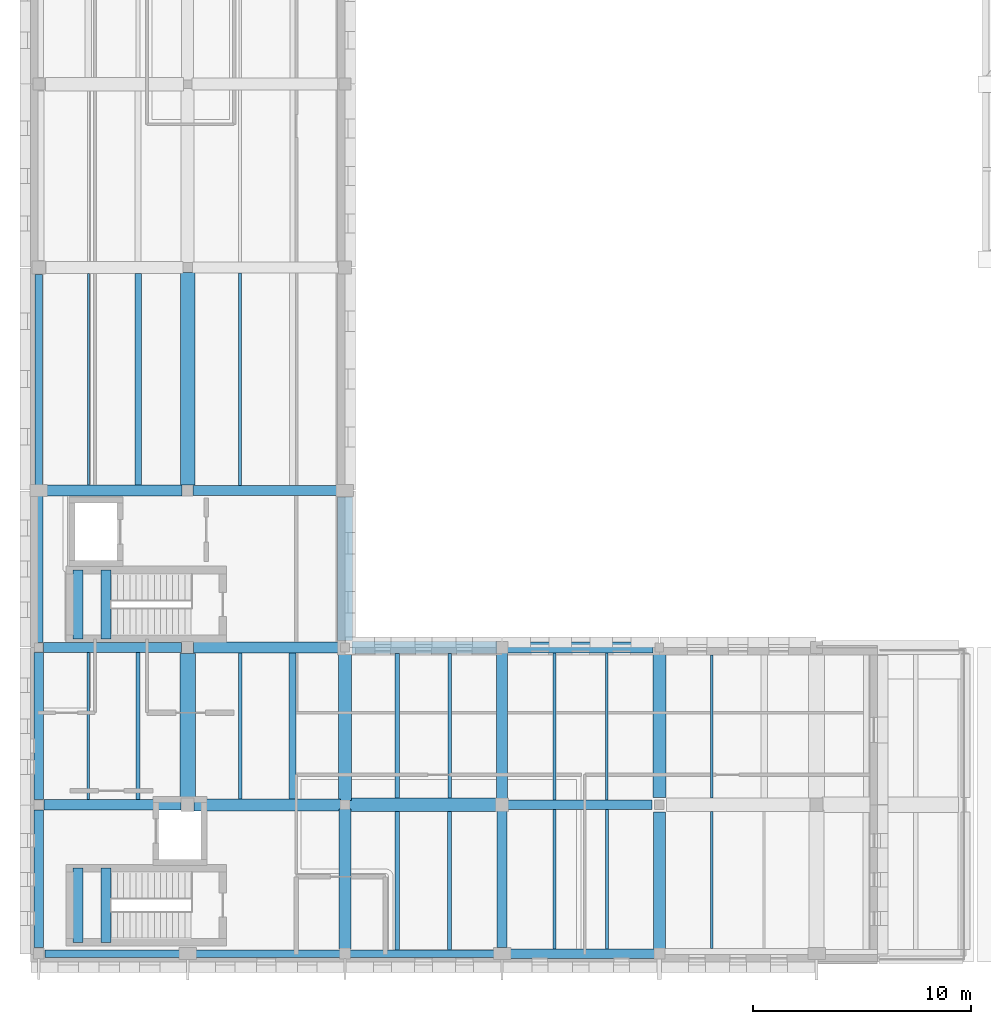
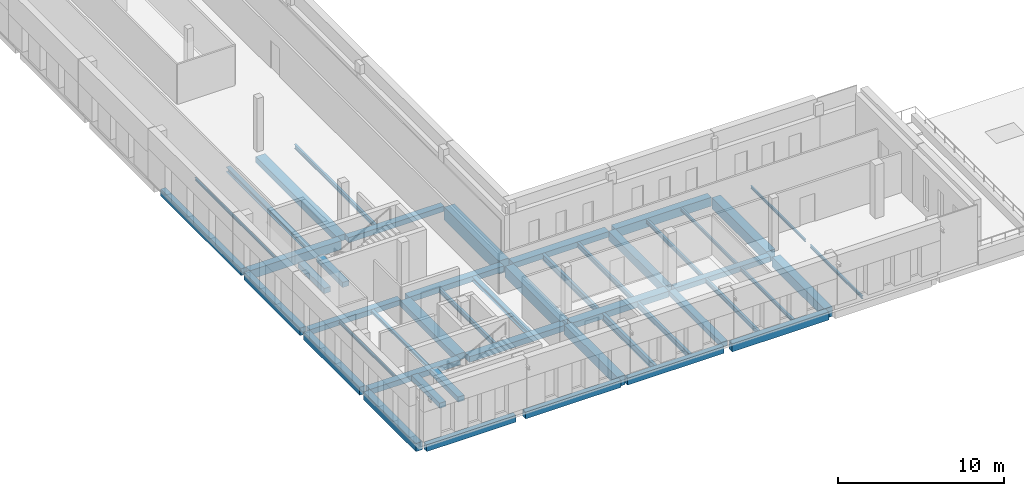
# One storey, part 8 of 56: 48 beams.
"""IFC4 building model written with IfcOpenShell, lengths in metres."""

from ifc_helpers import new_model, si_unit, direction, frame, origin, origin_2d, place, context, subcontext, project, spatial, rectangle, i_section, extrude, material, material_profile, profile_set, type_object, element, save


model = new_model("IFC4")

# Units and contexts
model_context = context("Model", 3, precision=1e-05, world=origin(), true_north=direction((0.0, 1.0)))
body_context = subcontext(model_context, "Body", "Model", "MODEL_VIEW")
ifc_project = project(units=[si_unit("LENGTHUNIT", "METRE"), si_unit("AREAUNIT", "SQUARE_METRE"), si_unit("VOLUMEUNIT", "CUBIC_METRE"), si_unit("PLANEANGLEUNIT", "RADIAN"), si_unit("MASSUNIT", "GRAM", prefix="KILO")], contexts=[model_context])

# Site, building, storey
site_placement = place(None, origin())
site = spatial("IfcSite", under=ifc_project, at=site_placement, CompositionType="ELEMENT")
building_placement = place(site_placement, origin())
building = spatial("IfcBuilding", under=site, at=building_placement, Name="Vardoun Plaza Health Centre", CompositionType="ELEMENT")
storey_placement = place(building_placement, frame((0.0, 0.0, 8.699951171875)))
storey = spatial("IfcBuildingStorey", under=building, at=storey_placement, Name="L02", CompositionType="ELEMENT", Elevation=8.699951171875)

# Beams
ifc_material_1 = material(Name="Concrete C35/45", Category="concrete")
ifc_material_profile_1 = material_profile(ifc_material_1, rectangle(XDim=0.35009765625, YDim=0.5, at=origin_2d()), Name="RC-BM 350x500")
ifc_profile_set_1 = profile_set([ifc_material_profile_1], Name="Concrete C35/45")
beam_type_1 = type_object("IfcBeamType", Name="B-08", PredefinedType="SPANDREL", material=ifc_profile_set_1)
beam_1_placement = place(storey_placement, frame((5.155029296875, 4.8798828125, -0.530029296875), z_axis=(1.0, 0.0, 0.0), x_axis=(0.0, 1.0, 0.0)))
element("IfcBeam", 1, at=beam_1_placement, inside=storey, type_object=beam_type_1, Name="V2 L02 Beam B-V2-L02-X01", PredefinedType="SPANDREL", context=body_context, shape_type="SweptSolid", body=[
    extrude(rectangle(XDim=0.35009765625, YDim=0.5, at=origin_2d()), origin(), (0.0, 0.0, 1.0), 6.219970703125),
])
beam_2_placement = place(storey_placement, frame((12.02490234375, 4.8798828125, -0.530029296875), z_axis=(1.0, 0.0, 0.0), x_axis=(0.0, 1.0, 0.0)))
element("IfcBeam", 2, at=beam_2_placement, inside=storey, type_object=beam_type_1, Name="V2 L02 Beam B-V2-L02-X11", PredefinedType="SPANDREL", context=body_context, shape_type="SweptSolid", body=[
    extrude(rectangle(XDim=0.35009765625, YDim=0.5, at=origin_2d()), origin(), (0.0, 0.0, 1.0), 6.650146484375),
])
beam_3_placement = place(storey_placement, frame((19.125, 4.8798828125, -0.530029296875), z_axis=(1.0, 0.0, 0.0), x_axis=(0.0, 1.0, 0.0)))
element("IfcBeam", 3, at=beam_3_placement, inside=storey, type_object=beam_type_1, Name="V2 L02 Beam B-V2-L02-X21", PredefinedType="SPANDREL", context=body_context, shape_type="SweptSolid", body=[
    extrude(rectangle(XDim=0.35009765625, YDim=0.5, at=origin_2d()), origin(), (0.0, 0.0, 1.0), 6.699951171875),
])
beam_4_placement = place(storey_placement, frame((4.8798828125, 26.300048828125, -0.530029296875), z_axis=(0.0, 1.0, 0.0), x_axis=(-1.0, 0.0, 0.0)))
element("IfcBeam", 4, at=beam_4_placement, inside=storey, type_object=beam_type_1, Name="V2 L02 Beam B-V2-L02-Y36", PredefinedType="SPANDREL", context=body_context, shape_type="SweptSolid", body=[
    extrude(rectangle(XDim=0.35009765625, YDim=0.5, at=origin_2d()), origin(), (0.0, 0.0, 1.0), 9.675048828125),
])
ifc_material_2 = material(Name="Concrete C35/45", Category="concrete")
ifc_material_profile_2 = material_profile(ifc_material_2, rectangle(XDim=0.39990234375, YDim=0.550048828125, at=origin_2d()), Name="RC-BM 400x550")
ifc_profile_set_2 = profile_set([ifc_material_profile_2], Name="Concrete C35/45")
beam_type_2 = type_object("IfcBeamType", Name="B-09", PredefinedType="SPANDREL", material=ifc_profile_set_2)
beam_5_placement = place(storey_placement, frame((4.8798828125, 19.125, -0.554931640625), z_axis=(0.0, 1.0, 0.0), x_axis=(-1.0, 0.0, 0.0)))
element("IfcBeam", 5, at=beam_5_placement, inside=storey, type_object=beam_type_2, Name="V2 L02 Beam B-V2-L02-Y35", PredefinedType="SPANDREL", context=body_context, shape_type="SweptSolid", body=[
    extrude(rectangle(XDim=0.39990234375, YDim=0.550048828125, at=origin_2d()), origin(), (0.0, 0.0, 1.0), 6.77490234375),
])
ifc_material_3 = material(Name="Concrete C35/45", Category="concrete")
ifc_material_profile_3 = material_profile(ifc_material_3, rectangle(XDim=0.419921875, YDim=0.580078125, at=origin_2d()), Name="RC-BM 420x580")
ifc_profile_set_3 = profile_set([ifc_material_profile_3], Name="Concrete C35/45")
beam_type_3 = type_object("IfcBeamType", Name="B-10", PredefinedType="SPANDREL", material=ifc_profile_set_3)
for number, where, z_axis, x_axis, name in (
    (6, (26.375, 4.8798828125, -0.570068359375), (1.0, 0.0, 0.0), (0.0, 1.0, 0.0), "V2 L02 Beam B-V2-L02-X24"),
    (7, (4.8798828125, 11.949951171875, -0.570068359375), (0.0, 1.0, 0.0), (-1.0, 0.0, 0.0), "V2 L02 Beam B-V2-L02-Y34"),
):
    element("IfcBeam", number, at=place(storey_placement, frame(where, z_axis=z_axis, x_axis=x_axis)), inside=storey, type_object=beam_type_3, Name=name, PredefinedType="SPANDREL", context=body_context, shape_type="SweptSolid", body=[
        extrude(rectangle(XDim=0.419921875, YDim=0.580078125, at=origin_2d()), origin(), (0.0, 0.0, 1.0), 6.72509765625),
    ])
ifc_material_4 = material(Name="Concrete C35/45", Category="concrete")
ifc_material_profile_4 = material_profile(ifc_material_4, rectangle(XDim=0.449951171875, YDim=0.3798828125, at=origin_2d()), Name="RC-BM 450x380")
ifc_profile_set_4 = profile_set([ifc_material_profile_4], Name="Concrete C35/45")
beam_type_4 = type_object("IfcBeamType", Name="B-01", PredefinedType="BEAM", material=ifc_profile_set_4)
beam_6_placement = place(storey_placement, frame((5.10498046875, 18.89990234375, -0.469970703125), z_axis=(1.0, 0.0, 0.0), x_axis=(0.0, 1.0, 0.0)))
element("IfcBeam", 8, at=beam_6_placement, inside=storey, type_object=beam_type_4, Name="V2 L02 Beam B-V2-L02-X03", PredefinedType="BEAM", context=body_context, shape_type="SweptSolid", body=[
    extrude(rectangle(XDim=0.449951171875, YDim=0.3798828125, at=origin_2d()), origin(), (0.0, 0.0, 1.0), 6.320068359375),
])
beam_7_placement = place(storey_placement, frame((11.949951171875, 26.10009765625, -0.469970703125), z_axis=(1.0, 0.0, 0.0), x_axis=(0.0, 1.0, 0.0)))
element("IfcBeam", 9, at=beam_7_placement, inside=storey, type_object=beam_type_4, Name="V2 L02 Beam B-V2-L02-X14", PredefinedType="BEAM", context=body_context, shape_type="SweptSolid", body=[
    extrude(rectangle(XDim=0.449951171875, YDim=0.3798828125, at=origin_2d()), origin(), (0.0, 0.0, 1.0), 6.650146484375),
])
beam_8_placement = place(storey_placement, frame((26.35009765625, 11.699951171875, -0.469970703125), z_axis=(1.0, 0.0, 0.0), x_axis=(0.0, 1.0, 0.0)))
element("IfcBeam", 10, at=beam_8_placement, inside=storey, type_object=beam_type_4, Name="V2 L02 Beam B-V2-L02-X25", PredefinedType="BEAM", context=body_context, shape_type="SweptSolid", body=[
    extrude(rectangle(XDim=0.449951171875, YDim=0.3798828125, at=origin_2d()), origin(), (0.0, 0.0, 1.0), 6.625),
])
beam_9_placement = place(storey_placement, frame((26.10009765625, 5.155029296875, -0.469970703125), z_axis=(0.0, 1.0, 0.0), x_axis=(-1.0, 0.0, 0.0)))
element("IfcBeam", 11, at=beam_9_placement, inside=storey, type_object=beam_type_4, Name="V2 L02 Beam B-V2-L02-Y58", PredefinedType="BEAM", context=body_context, shape_type="SweptSolid", body=[
    extrude(rectangle(XDim=0.449951171875, YDim=0.3798828125, at=origin_2d()), origin(), (0.0, 0.0, 1.0), 6.294921875),
])
for number, where, z_axis, x_axis, name in (
    (12, (6.679931640625, 5.39990234375, 1.7099609375), (0.0, 1.0, 0.0), (-1.0, 0.0, 0.0), "Stair ST-C1-L02 Landing Beam 1"),
    (13, (7.9599609375, 5.39990234375, 1.7099609375), (0.0, 1.0, 0.0), (-1.0, 0.0, 0.0), "Stair ST-C1-L02 Landing Beam 2"),
):
    element("IfcBeam", number, at=place(storey_placement, frame(where, z_axis=z_axis, x_axis=x_axis)), inside=storey, type_object=beam_type_4, Name=name, PredefinedType="BEAM", context=body_context, shape_type="SweptSolid", body=[
        extrude(rectangle(XDim=0.449951171875, YDim=0.3798828125, at=origin_2d()), origin(), (0.0, 0.0, 1.0), 3.400146484375),
    ])
for number, where, z_axis, x_axis, name in (
    (14, (6.679931640625, 19.300048828125, 1.7099609375), (0.0, 1.0, 0.0), (-1.0, 0.0, 0.0), "Stair ST-C2-L02 Landing Beam 1"),
    (15, (7.9599609375, 19.300048828125, 1.7099609375), (0.0, 1.0, 0.0), (-1.0, 0.0, 0.0), "Stair ST-C2-L02 Landing Beam 2"),
):
    element("IfcBeam", number, at=place(storey_placement, frame(where, z_axis=z_axis, x_axis=x_axis)), inside=storey, type_object=beam_type_4, Name=name, PredefinedType="BEAM", context=body_context, shape_type="SweptSolid", body=[
        extrude(rectangle(XDim=0.449951171875, YDim=0.3798828125, at=origin_2d()), origin(), (0.0, 0.0, 1.0), 3.14990234375),
    ])
ifc_material_5 = material(Name="Concrete C35/45", Category="concrete")
ifc_material_profile_5 = material_profile(ifc_material_5, rectangle(XDim=0.449951171875, YDim=0.60009765625, at=origin_2d()), Name="RC-BM 450x600")
ifc_profile_set_5 = profile_set([ifc_material_profile_5], Name="Concrete C35/45")
beam_type_5 = type_object("IfcBeamType", Name="B-11", PredefinedType="SPANDREL", material=ifc_profile_set_5)
beam_10_placement = place(storey_placement, frame((4.8798828125, 5.155029296875, -0.579833984375), z_axis=(0.0, 1.0, 0.0), x_axis=(-1.0, 0.0, 0.0)))
element("IfcBeam", 16, at=beam_10_placement, inside=storey, type_object=beam_type_5, Name="V2 L02 Beam B-V2-L02-Y33", PredefinedType="SPANDREL", context=body_context, shape_type="SweptSolid", body=[
    extrude(rectangle(XDim=0.449951171875, YDim=0.60009765625, at=origin_2d()), origin(), (0.0, 0.0, 1.0), 6.294921875),
])
ifc_material_6 = material(Name="Concrete C35/45", Category="concrete")
ifc_material_profile_6 = material_profile(ifc_material_6, rectangle(XDim=0.5, YDim=0.39990234375, at=origin_2d()), Name="RC-BM 500x400")
ifc_profile_set_6 = profile_set([ifc_material_profile_6], Name="Concrete C35/45")
beam_type_6 = type_object("IfcBeamType", Name="B-02", PredefinedType="BEAM", material=ifc_profile_set_6)
beam_11_placement = place(storey_placement, frame((5.1298828125, 11.699951171875, -0.47998046875), z_axis=(1.0, 0.0, 0.0), x_axis=(0.0, 1.0, 0.0)))
element("IfcBeam", 17, at=beam_11_placement, inside=storey, type_object=beam_type_6, Name="V2 L02 Beam B-V2-L02-X02", PredefinedType="BEAM", context=body_context, shape_type="SweptSolid", body=[
    extrude(rectangle(XDim=0.5, YDim=0.39990234375, at=origin_2d()), origin(), (0.0, 0.0, 1.0), 6.27001953125),
])
beam_12_placement = place(storey_placement, frame((11.97509765625, 18.89990234375, -0.47998046875), z_axis=(1.0, 0.0, 0.0), x_axis=(0.0, 1.0, 0.0)))
element("IfcBeam", 18, at=beam_12_placement, inside=storey, type_object=beam_type_6, Name="V2 L02 Beam B-V2-L02-X13", PredefinedType="BEAM", context=body_context, shape_type="SweptSolid", body=[
    extrude(rectangle(XDim=0.5, YDim=0.39990234375, at=origin_2d()), origin(), (0.0, 0.0, 1.0), 6.599853515625),
])
ifc_material_7 = material(Name="Concrete C40/50", Category="concrete")
ifc_material_profile_7 = material_profile(ifc_material_7, rectangle(XDim=0.5, YDim=0.64990234375, at=origin_2d()), Name="RC-BM 500x650")
ifc_profile_set_7 = profile_set([ifc_material_profile_7], Name="Concrete C40/50")
beam_type_7 = type_object("IfcBeamType", Name="B-13", PredefinedType="BEAM", material=ifc_profile_set_7)
beam_13_placement = place(storey_placement, frame((5.080078125, 26.10009765625, -0.60498046875), z_axis=(1.0, 0.0, 0.0), x_axis=(0.0, 1.0, 0.0)))
element("IfcBeam", 19, at=beam_13_placement, inside=storey, type_object=beam_type_7, Name="V2 L02 Beam B-V2-L02-X04", PredefinedType="BEAM", context=body_context, shape_type="SweptSolid", body=[
    extrude(rectangle(XDim=0.5, YDim=0.64990234375, at=origin_2d()), origin(), (0.0, 0.0, 1.0), 6.369873046875),
])
beam_14_placement = place(storey_placement, frame((26.324951171875, 18.89990234375, -0.60498046875), z_axis=(1.0, 0.0, 0.0), x_axis=(0.0, 1.0, 0.0)))
element("IfcBeam", 20, at=beam_14_placement, inside=storey, type_object=beam_type_7, Name="V2 L02 Beam B-V2-L02-X26", PredefinedType="BEAM", context=body_context, shape_type="SweptSolid", body=[
    extrude(rectangle(XDim=0.5, YDim=0.64990234375, at=origin_2d()), origin(), (0.0, 0.0, 1.0), 6.675048828125),
])
beam_15_placement = place(storey_placement, frame((26.10009765625, 11.949951171875, -0.60498046875), z_axis=(0.0, 1.0, 0.0), x_axis=(-1.0, 0.0, 0.0)))
element("IfcBeam", 21, at=beam_15_placement, inside=storey, type_object=beam_type_7, Name="V2 L02 Beam B-V2-L02-Y59", PredefinedType="BEAM", context=body_context, shape_type="SweptSolid", body=[
    extrude(rectangle(XDim=0.5, YDim=0.64990234375, at=origin_2d()), origin(), (0.0, 0.0, 1.0), 6.72509765625),
])
ifc_material_8 = material(Name="Concrete C35/45", Category="concrete")
ifc_material_profile_8 = material_profile(ifc_material_8, rectangle(XDim=0.550048828125, YDim=0.419921875, at=origin_2d()), Name="RC-BM 550x420")
ifc_profile_set_8 = profile_set([ifc_material_profile_8], Name="Concrete C35/45")
beam_type_8 = type_object("IfcBeamType", Name="B-03", PredefinedType="BEAM", material=ifc_profile_set_8)
beam_16_placement = place(storey_placement, frame((12.0, 11.699951171875, -0.489990234375), z_axis=(1.0, 0.0, 0.0), x_axis=(0.0, 1.0, 0.0)))
element("IfcBeam", 22, at=beam_16_placement, inside=storey, type_object=beam_type_8, Name="V2 L02 Beam B-V2-L02-X12", PredefinedType="BEAM", context=body_context, shape_type="SweptSolid", body=[
    extrude(rectangle(XDim=0.550048828125, YDim=0.419921875, at=origin_2d()), origin(), (0.0, 0.0, 1.0), 6.699951171875),
])
beam_17_placement = place(storey_placement, frame((19.22509765625, 18.89990234375, -0.489990234375), z_axis=(1.0, 0.0, 0.0), x_axis=(0.0, 1.0, 0.0)))
element("IfcBeam", 23, at=beam_17_placement, inside=storey, type_object=beam_type_8, Name="V2 L02 Beam B-V2-L02-X23", PredefinedType="BEAM", context=body_context, shape_type="SweptSolid", body=[
    extrude(rectangle(XDim=0.550048828125, YDim=0.419921875, at=origin_2d()), origin(), (0.0, 0.0, 1.0), 6.64990234375),
])
ifc_material_9 = material(Name="Concrete C40/50", Category="concrete")
ifc_material_profile_9 = material_profile(ifc_material_9, rectangle(XDim=0.550048828125, YDim=0.719970703125, at=origin_2d()), Name="RC-BM 550x720")
ifc_profile_set_9 = profile_set([ifc_material_profile_9], Name="Concrete C40/50")
beam_type_9 = type_object("IfcBeamType", Name="B-14", PredefinedType="BEAM", material=ifc_profile_set_9)
beam_18_placement = place(storey_placement, frame((18.89990234375, 5.10498046875, -0.639892578125), z_axis=(0.0, 1.0, 0.0), x_axis=(-1.0, 0.0, 0.0)))
element("IfcBeam", 24, at=beam_18_placement, inside=storey, type_object=beam_type_9, Name="V2 L02 Beam B-V2-L02-Y49", PredefinedType="BEAM", context=body_context, shape_type="SweptSolid", body=[
    extrude(rectangle(XDim=0.550048828125, YDim=0.719970703125, at=origin_2d()), origin(), (0.0, 0.0, 1.0), 6.39501953125),
])
beam_19_placement = place(storey_placement, frame((33.300048828125, 5.080078125, -0.639892578125), z_axis=(0.0, 1.0, 0.0), x_axis=(-1.0, 0.0, 0.0)))
element("IfcBeam", 25, at=beam_19_placement, inside=storey, type_object=beam_type_9, Name="V2 L02 Beam B-V2-L02-Y60", PredefinedType="BEAM", context=body_context, shape_type="SweptSolid", body=[
    extrude(rectangle(XDim=0.550048828125, YDim=0.719970703125, at=origin_2d()), origin(), (0.0, 0.0, 1.0), 6.294921875),
])
ifc_material_10 = material(Name="Concrete C35/45", Category="concrete")
ifc_material_profile_10 = material_profile(ifc_material_10, rectangle(XDim=0.60009765625, YDim=0.449951171875, at=origin_2d()), Name="RC-BM 600x450")
ifc_profile_set_10 = profile_set([ifc_material_profile_10], Name="Concrete C35/45")
beam_type_10 = type_object("IfcBeamType", Name="B-04", PredefinedType="BEAM", material=ifc_profile_set_10)
beam_20_placement = place(storey_placement, frame((19.10009765625, 11.699951171875, -0.5048828125), z_axis=(1.0, 0.0, 0.0), x_axis=(0.0, 1.0, 0.0)))
element("IfcBeam", 26, at=beam_20_placement, inside=storey, type_object=beam_type_10, Name="V2 L02 Beam B-V2-L02-X22", PredefinedType="BEAM", context=body_context, shape_type="SweptSolid", body=[
    extrude(rectangle(XDim=0.60009765625, YDim=0.449951171875, at=origin_2d()), origin(), (0.0, 0.0, 1.0), 6.75),
])
ifc_material_11 = material(Name="Concrete C40/50", Category="concrete")
ifc_material_profile_11 = material_profile(ifc_material_11, rectangle(XDim=0.60009765625, YDim=0.800048828125, at=origin_2d()), Name="RC-BM 600x800")
ifc_profile_set_11 = profile_set([ifc_material_profile_11], Name="Concrete C40/50")
beam_type_11 = type_object("IfcBeamType", Name="B-15", PredefinedType="JOIST", material=ifc_profile_set_11)
beam_21_placement = place(storey_placement, frame((18.89990234375, 11.89990234375, -0.679931640625), z_axis=(0.0, 1.0, 0.0), x_axis=(-1.0, 0.0, 0.0)))
element("IfcBeam", 27, at=beam_21_placement, inside=storey, type_object=beam_type_11, Name="V2 L02 Beam B-V2-L02-Y50", PredefinedType="JOIST", context=body_context, shape_type="SweptSolid", body=[
    extrude(rectangle(XDim=0.60009765625, YDim=0.800048828125, at=origin_2d()), origin(), (0.0, 0.0, 1.0), 6.675048828125),
])
beam_22_placement = place(storey_placement, frame((33.300048828125, 12.02490234375, -0.679931640625), z_axis=(0.0, 1.0, 0.0), x_axis=(-1.0, 0.0, 0.0)))
element("IfcBeam", 28, at=beam_22_placement, inside=storey, type_object=beam_type_11, Name="V2 L02 Beam B-V2-L02-Y61", PredefinedType="JOIST", context=body_context, shape_type="SweptSolid", body=[
    extrude(rectangle(XDim=0.60009765625, YDim=0.800048828125, at=origin_2d()), origin(), (0.0, 0.0, 1.0), 6.5751953125),
])
ifc_material_12 = material(Name="Concrete C35/45", Category="concrete")
ifc_material_profile_12 = material_profile(ifc_material_12, rectangle(XDim=0.64990234375, YDim=0.449951171875, at=origin_2d()), Name="RC-BM 650x450")
ifc_profile_set_12 = profile_set([ifc_material_profile_12], Name="Concrete C35/45")
beam_type_12 = type_object("IfcBeamType", Name="B-05", PredefinedType="BEAM", material=ifc_profile_set_12)
beam_23_placement = place(storey_placement, frame((11.699951171875, 26.35009765625, -0.5048828125), z_axis=(0.0, 1.0, 0.0), x_axis=(-1.0, 0.0, 0.0)))
element("IfcBeam", 29, at=beam_23_placement, inside=storey, type_object=beam_type_12, Name="V2 L02 Beam B-V2-L02-Y43", PredefinedType="BEAM", context=body_context, shape_type="SweptSolid", body=[
    extrude(rectangle(XDim=0.64990234375, YDim=0.449951171875, at=origin_2d()), origin(), (0.0, 0.0, 1.0), 9.724853515625),
])
ifc_material_13 = material(Name="Concrete C35/45", Category="concrete")
ifc_material_profile_13 = material_profile(ifc_material_13, rectangle(XDim=0.699951171875, YDim=0.449951171875, at=origin_2d()), Name="RC-BM 700x450")
ifc_profile_set_13 = profile_set([ifc_material_profile_13], Name="Concrete C35/45")
beam_type_13 = type_object("IfcBeamType", Name="B-06", PredefinedType="BEAM", material=ifc_profile_set_13)
beam_24_placement = place(storey_placement, frame((11.699951171875, 12.0, -0.5048828125), z_axis=(0.0, 1.0, 0.0), x_axis=(-1.0, 0.0, 0.0)))
element("IfcBeam", 30, at=beam_24_placement, inside=storey, type_object=beam_type_13, Name="V2 L02 Beam B-V2-L02-Y42", PredefinedType="BEAM", context=body_context, shape_type="SweptSolid", body=[
    extrude(rectangle(XDim=0.699951171875, YDim=0.449951171875, at=origin_2d()), origin(), (0.0, 0.0, 1.0), 6.625),
])
ifc_material_14 = material(Name="Concrete C40/50", Category="concrete")
ifc_material_profile_14 = material_profile(ifc_material_14, rectangle(XDim=0.699951171875, YDim=0.949951171875, at=origin_2d()), Name="RC-BM 700x950")
ifc_profile_set_14 = profile_set([ifc_material_profile_14], Name="Concrete C40/50")
beam_type_14 = type_object("IfcBeamType", Name="B-16", PredefinedType="LINTEL", material=ifc_profile_set_14)
beam_25_placement = place(storey_placement, frame((18.89990234375, 19.22509765625, -0.7548828125), z_axis=(0.0, 1.0, 0.0), x_axis=(-1.0, 0.0, 0.0)))
element("IfcBeam", 31, at=beam_25_placement, inside=storey, type_object=beam_type_14, Name="V2 L02 Beam B-V2-L02-Y51", PredefinedType="LINTEL", context=body_context, shape_type="SweptSolid", body=[
    extrude(rectangle(XDim=0.699951171875, YDim=0.949951171875, at=origin_2d()), origin(), (0.0, 0.0, 1.0), 6.574951171875),
])
ifc_material_15 = material(Name="Steel S355J2", Category="steel")
ifc_material_profile_15 = material_profile(ifc_material_15, i_section(OverallWidth=0.199951171875, OverallDepth=0.18994140625, WebThickness=0.006591796875, FlangeThickness=0.010009765625, FilletRadius=0.01806640625, at=origin_2d()), Name="HEA 200")
ifc_profile_set_15 = profile_set([ifc_material_profile_15], Name="Steel S355J2")
beam_type_15 = type_object("IfcBeamType", Name="SB-09", PredefinedType="BEAM", material=ifc_profile_set_15)
beam_26_placement = place(storey_placement, frame((9.427001953125, 11.949951171875, -0.375), z_axis=(0.0, 1.0, 0.0), x_axis=(-1.0, 0.0, 0.0)))
element("IfcBeam", 32, at=beam_26_placement, inside=storey, type_object=beam_type_15, Name="V2 L02 Secondary Floor Beam SJ-V2-L02-08", PredefinedType="BEAM", context=body_context, shape_type="SweptSolid", body=[
    extrude(i_section(OverallWidth=0.199951171875, OverallDepth=0.18994140625, WebThickness=0.006591796875, FlangeThickness=0.010009765625, FilletRadius=0.01806640625, at=origin_2d()), origin(), (0.0, 0.0, 1.0), 6.72509765625),
])
ifc_material_16 = material(Name="Steel S355J2", Category="steel")
ifc_material_profile_16 = material_profile(ifc_material_16, i_section(OverallWidth=0.300048828125, OverallDepth=0.330078125, WebThickness=0.009521484375, FlangeThickness=0.0166015625, FilletRadius=0.027099609375, at=origin_2d()), Name="HEA 340")
ifc_profile_set_16 = profile_set([ifc_material_profile_16], Name="Steel S355J2")
beam_type_16 = type_object("IfcBeamType", Name="SB-04", PredefinedType="BEAM", material=ifc_profile_set_16)
beam_27_placement = place(storey_placement, frame((16.500244140625, 11.97509765625, -0.445068359375), z_axis=(0.0, 1.0, 0.0), x_axis=(-1.0, 0.0, 0.0)))
element("IfcBeam", 33, at=beam_27_placement, inside=storey, type_object=beam_type_16, Name="V2 L02 Secondary Floor Beam SJ-V2-L02-22", PredefinedType="BEAM", context=body_context, shape_type="SweptSolid", body=[
    extrude(i_section(OverallWidth=0.300048828125, OverallDepth=0.330078125, WebThickness=0.009521484375, FlangeThickness=0.0166015625, FilletRadius=0.027099609375, at=origin_2d()), origin(), (0.0, 0.0, 1.0), 6.6748046875),
])
ifc_material_17 = material(Name="Steel S355J2", Category="steel")
ifc_material_profile_17 = material_profile(ifc_material_17, i_section(OverallWidth=0.300048828125, OverallDepth=0.360107421875, WebThickness=0.012451171875, FlangeThickness=0.0224609375, FilletRadius=0.027099609375, at=origin_2d()), Name="HEB 360")
ifc_profile_set_17 = profile_set([ifc_material_profile_17], Name="Steel S355J2")
beam_type_17 = type_object("IfcBeamType", Name="RB-04", PredefinedType="BEAM", material=ifc_profile_set_17)
beam_28_placement = place(storey_placement, frame((9.427001953125, 26.35009765625, -0.4599609375), z_axis=(0.0, 1.0, 0.0), x_axis=(-1.0, 0.0, 0.0)))
element("IfcBeam", 34, at=beam_28_placement, inside=storey, type_object=beam_type_17, Name="V2 L02 Secondary Floor Beam SJ-V2-L02-09", PredefinedType="BEAM", context=body_context, shape_type="SweptSolid", body=[
    extrude(i_section(OverallWidth=0.300048828125, OverallDepth=0.360107421875, WebThickness=0.012451171875, FlangeThickness=0.0224609375, FilletRadius=0.027099609375, at=origin_2d()), origin(), (0.0, 0.0, 1.0), 9.675048828125),
])
ifc_material_18 = material(Name="Steel S355J2", Category="steel")
ifc_material_profile_18 = material_profile(ifc_material_18, i_section(OverallWidth=0.10009765625, OverallDepth=0.199951171875, WebThickness=0.005615234375, FlangeThickness=0.008544921875, FilletRadius=0.011962890625, at=origin_2d()), Name="IPE 200")
ifc_profile_set_18 = profile_set([ifc_material_profile_18], Name="Steel S355J2")
beam_type_18 = type_object("IfcBeamType", Name="SB-19", PredefinedType="SPANDREL", material=ifc_profile_set_18)
beam_29_placement = place(storey_placement, frame((7.153076171875, 26.35009765625, -0.3798828125), z_axis=(0.0, 1.0, 0.0), x_axis=(-1.0, 0.0, 0.0)))
element("IfcBeam", 35, at=beam_29_placement, inside=storey, type_object=beam_type_18, Name="V2 L02 Secondary Floor Beam SJ-V2-L02-02", PredefinedType="SPANDREL", context=body_context, shape_type="SweptSolid", body=[
    extrude(i_section(OverallWidth=0.10009765625, OverallDepth=0.199951171875, WebThickness=0.005615234375, FlangeThickness=0.008544921875, FilletRadius=0.011962890625, at=origin_2d()), origin(), (0.0, 0.0, 1.0), 9.675048828125),
])
beam_30_placement = place(storey_placement, frame((35.69970703125, 12.0, -0.3798828125), z_axis=(0.0, 1.0, 0.0), x_axis=(-1.0, 0.0, 0.0)))
element("IfcBeam", 36, at=beam_30_placement, inside=storey, type_object=beam_type_18, Name="V2 L02 Secondary Floor Beam SJ-V2-L02-38", PredefinedType="SPANDREL", context=body_context, shape_type="SweptSolid", body=[
    extrude(i_section(OverallWidth=0.10009765625, OverallDepth=0.199951171875, WebThickness=0.005615234375, FlangeThickness=0.008544921875, FilletRadius=0.011962890625, at=origin_2d()), origin(), (0.0, 0.0, 1.0), 6.550048828125),
])
ifc_material_19 = material(Name="Steel S355J2", Category="steel")
ifc_material_profile_19 = material_profile(ifc_material_19, i_section(OverallWidth=0.110107421875, OverallDepth=0.219970703125, WebThickness=0.005859375, FlangeThickness=0.00927734375, FilletRadius=0.011962890625, at=origin_2d()), Name="IPE 220")
ifc_profile_set_19 = profile_set([ifc_material_profile_19], Name="Steel S355J2")
beam_type_19 = type_object("IfcBeamType", Name="SB-18", PredefinedType="JOIST", material=ifc_profile_set_19)
beam_31_placement = place(storey_placement, frame((7.153076171875, 11.949951171875, -0.389892578125), z_axis=(0.0, 1.0, 0.0), x_axis=(-1.0, 0.0, 0.0)))
element("IfcBeam", 37, at=beam_31_placement, inside=storey, type_object=beam_type_19, Name="V2 L02 Secondary Floor Beam SJ-V2-L02-01", PredefinedType="JOIST", context=body_context, shape_type="SweptSolid", body=[
    extrude(i_section(OverallWidth=0.110107421875, OverallDepth=0.219970703125, WebThickness=0.005859375, FlangeThickness=0.00927734375, FilletRadius=0.011962890625, at=origin_2d()), origin(), (0.0, 0.0, 1.0), 6.72509765625),
])
beam_32_placement = place(storey_placement, frame((35.69970703125, 5.1201171875, -0.389892578125), z_axis=(0.0, 1.0, 0.0), x_axis=(-1.0, 0.0, 0.0)))
element("IfcBeam", 38, at=beam_32_placement, inside=storey, type_object=beam_type_19, Name="V2 L02 Secondary Floor Beam SJ-V2-L02-37", PredefinedType="JOIST", context=body_context, shape_type="SweptSolid", body=[
    extrude(i_section(OverallWidth=0.110107421875, OverallDepth=0.219970703125, WebThickness=0.005859375, FlangeThickness=0.00927734375, FilletRadius=0.011962890625, at=origin_2d()), origin(), (0.0, 0.0, 1.0), 6.27978515625),
])
ifc_material_20 = material(Name="Steel S355J2", Category="steel")
ifc_material_profile_20 = material_profile(ifc_material_20, i_section(OverallWidth=0.1201171875, OverallDepth=0.239990234375, WebThickness=0.006103515625, FlangeThickness=0.009765625, FilletRadius=0.014892578125, at=origin_2d()), Name="IPE 240")
ifc_profile_set_20 = profile_set([ifc_material_profile_20], Name="Steel S355J2")
beam_type_20 = type_object("IfcBeamType", Name="SB-17", PredefinedType="JOIST", material=ifc_profile_set_20)
beam_33_placement = place(storey_placement, frame((30.900146484375, 11.925048828125, -0.39990234375), z_axis=(0.0, 1.0, 0.0), x_axis=(-1.0, 0.0, 0.0)))
element("IfcBeam", 39, at=beam_33_placement, inside=storey, type_object=beam_type_20, Name="V2 L02 Secondary Floor Beam SJ-V2-L02-36", PredefinedType="JOIST", context=body_context, shape_type="SweptSolid", body=[
    extrude(i_section(OverallWidth=0.1201171875, OverallDepth=0.239990234375, WebThickness=0.006103515625, FlangeThickness=0.009765625, FilletRadius=0.014892578125, at=origin_2d()), origin(), (0.0, 0.0, 1.0), 6.724853515625),
])
ifc_material_21 = material(Name="Steel S355J2", Category="steel")
ifc_material_profile_21 = material_profile(ifc_material_21, i_section(OverallWidth=0.135009765625, OverallDepth=0.27001953125, WebThickness=0.006591796875, FlangeThickness=0.01025390625, FilletRadius=0.014892578125, at=origin_2d()), Name="IPE 270")
ifc_profile_set_21 = profile_set([ifc_material_profile_21], Name="Steel S355J2")
beam_type_21 = type_object("IfcBeamType", Name="SB-16", PredefinedType="JOIST", material=ifc_profile_set_21)
beam_34_placement = place(storey_placement, frame((30.900146484375, 5.090087890625, -0.4150390625), z_axis=(0.0, 1.0, 0.0), x_axis=(-1.0, 0.0, 0.0)))
element("IfcBeam", 40, at=beam_34_placement, inside=storey, type_object=beam_type_21, Name="V2 L02 Secondary Floor Beam SJ-V2-L02-35", PredefinedType="JOIST", context=body_context, shape_type="SweptSolid", body=[
    extrude(i_section(OverallWidth=0.135009765625, OverallDepth=0.27001953125, WebThickness=0.006591796875, FlangeThickness=0.01025390625, FilletRadius=0.014892578125, at=origin_2d()), origin(), (0.0, 0.0, 1.0), 6.385009765625),
])
ifc_material_22 = material(Name="Steel S355J2", Category="steel")
ifc_material_profile_22 = material_profile(ifc_material_22, i_section(OverallWidth=0.14990234375, OverallDepth=0.300048828125, WebThickness=0.007080078125, FlangeThickness=0.0107421875, FilletRadius=0.014892578125, at=origin_2d()), Name="IPE 300")
ifc_profile_set_22 = profile_set([ifc_material_profile_22], Name="Steel S355J2")
beam_type_22 = type_object("IfcBeamType", Name="SB-15", PredefinedType="JOIST", material=ifc_profile_set_22)
beam_35_placement = place(storey_placement, frame((14.099853515625, 26.324951171875, -0.430908203125), z_axis=(0.0, 1.0, 0.0), x_axis=(-1.0, 0.0, 0.0)))
element("IfcBeam", 41, at=beam_35_placement, inside=storey, type_object=beam_type_22, Name="V2 L02 Secondary Floor Beam SJ-V2-L02-16", PredefinedType="JOIST", context=body_context, shape_type="SweptSolid", body=[
    extrude(i_section(OverallWidth=0.14990234375, OverallDepth=0.300048828125, WebThickness=0.007080078125, FlangeThickness=0.0107421875, FilletRadius=0.014892578125, at=origin_2d()), origin(), (0.0, 0.0, 1.0), 9.72509765625),
])
beam_36_placement = place(storey_placement, frame((28.499755859375, 11.925048828125, -0.429931640625), z_axis=(0.0, 1.0, 0.0), x_axis=(-1.0, 0.0, 0.0)))
element("IfcBeam", 42, at=beam_36_placement, inside=storey, type_object=beam_type_22, Name="V2 L02 Secondary Floor Beam SJ-V2-L02-34", PredefinedType="JOIST", context=body_context, shape_type="SweptSolid", body=[
    extrude(i_section(OverallWidth=0.14990234375, OverallDepth=0.300048828125, WebThickness=0.007080078125, FlangeThickness=0.0107421875, FilletRadius=0.014892578125, at=origin_2d()), origin(), (0.0, 0.0, 1.0), 6.724853515625),
])
ifc_material_23 = material(Name="Steel S355J2", Category="steel")
ifc_material_profile_23 = material_profile(ifc_material_23, i_section(OverallWidth=0.159912109375, OverallDepth=0.330078125, WebThickness=0.007568359375, FlangeThickness=0.011474609375, FilletRadius=0.01806640625, at=origin_2d()), Name="IPE 330")
ifc_profile_set_23 = profile_set([ifc_material_profile_23], Name="Steel S355J2")
beam_type_23 = type_object("IfcBeamType", Name="SB-14", PredefinedType="JOIST", material=ifc_profile_set_23)
beam_37_placement = place(storey_placement, frame((14.099853515625, 11.97509765625, -0.445068359375), z_axis=(0.0, 1.0, 0.0), x_axis=(-1.0, 0.0, 0.0)))
element("IfcBeam", 43, at=beam_37_placement, inside=storey, type_object=beam_type_23, Name="V2 L02 Secondary Floor Beam SJ-V2-L02-15", PredefinedType="JOIST", context=body_context, shape_type="SweptSolid", body=[
    extrude(i_section(OverallWidth=0.159912109375, OverallDepth=0.330078125, WebThickness=0.007568359375, FlangeThickness=0.011474609375, FilletRadius=0.01806640625, at=origin_2d()), origin(), (0.0, 0.0, 1.0), 6.6748046875),
])
beam_38_placement = place(storey_placement, frame((28.499755859375, 5.090087890625, -0.445068359375), z_axis=(0.0, 1.0, 0.0), x_axis=(-1.0, 0.0, 0.0)))
element("IfcBeam", 44, at=beam_38_placement, inside=storey, type_object=beam_type_23, Name="V2 L02 Secondary Floor Beam SJ-V2-L02-33", PredefinedType="JOIST", context=body_context, shape_type="SweptSolid", body=[
    extrude(i_section(OverallWidth=0.159912109375, OverallDepth=0.330078125, WebThickness=0.007568359375, FlangeThickness=0.011474609375, FilletRadius=0.01806640625, at=origin_2d()), origin(), (0.0, 0.0, 1.0), 6.385009765625),
])
ifc_material_24 = material(Name="Steel S355J2", Category="steel")
ifc_material_profile_24 = material_profile(ifc_material_24, i_section(OverallWidth=0.169921875, OverallDepth=0.360107421875, WebThickness=0.008056640625, FlangeThickness=0.0126953125, FilletRadius=0.01806640625, at=origin_2d()), Name="IPE 360")
ifc_profile_set_24 = profile_set([ifc_material_profile_24], Name="Steel S355J2")
beam_type_24 = type_object("IfcBeamType", Name="SB-13", PredefinedType="JOIST", material=ifc_profile_set_24)
beam_39_placement = place(storey_placement, frame((23.7001953125, 12.0, -0.4599609375), z_axis=(0.0, 1.0, 0.0), x_axis=(-1.0, 0.0, 0.0)))
element("IfcBeam", 45, at=beam_39_placement, inside=storey, type_object=beam_type_24, Name="V2 L02 Secondary Floor Beam SJ-V2-L02-32", PredefinedType="JOIST", context=body_context, shape_type="SweptSolid", body=[
    extrude(i_section(OverallWidth=0.169921875, OverallDepth=0.360107421875, WebThickness=0.008056640625, FlangeThickness=0.0126953125, FilletRadius=0.01806640625, at=origin_2d()), origin(), (0.0, 0.0, 1.0), 6.625),
])
ifc_material_25 = material(Name="Steel S355J2", Category="steel")
ifc_material_profile_25 = material_profile(ifc_material_25, i_section(OverallWidth=0.179931640625, OverallDepth=0.39990234375, WebThickness=0.008544921875, FlangeThickness=0.013427734375, FilletRadius=0.02099609375, at=origin_2d()), Name="IPE 400")
ifc_profile_set_25 = profile_set([ifc_material_profile_25], Name="Steel S355J2")
beam_type_25 = type_object("IfcBeamType", Name="SB-12", PredefinedType="BEAM", material=ifc_profile_set_25)
beam_40_placement = place(storey_placement, frame((23.7001953125, 5.054931640625, -0.47998046875), z_axis=(0.0, 1.0, 0.0), x_axis=(-1.0, 0.0, 0.0)))
element("IfcBeam", 46, at=beam_40_placement, inside=storey, type_object=beam_type_25, Name="V2 L02 Secondary Floor Beam SJ-V2-L02-31", PredefinedType="BEAM", context=body_context, shape_type="SweptSolid", body=[
    extrude(i_section(OverallWidth=0.179931640625, OverallDepth=0.39990234375, WebThickness=0.008544921875, FlangeThickness=0.013427734375, FilletRadius=0.02099609375, at=origin_2d()), origin(), (0.0, 0.0, 1.0), 6.344970703125),
])
ifc_material_26 = material(Name="Steel S355J2", Category="steel")
ifc_material_profile_26 = material_profile(ifc_material_26, i_section(OverallWidth=0.18994140625, OverallDepth=0.449951171875, WebThickness=0.009521484375, FlangeThickness=0.0146484375, FilletRadius=0.02099609375, at=origin_2d()), Name="IPE 450")
ifc_profile_set_26 = profile_set([ifc_material_profile_26], Name="Steel S355J2")
beam_type_26 = type_object("IfcBeamType", Name="SB-11", PredefinedType="BEAM", material=ifc_profile_set_26)
beam_41_placement = place(storey_placement, frame((21.2998046875, 12.0, -0.5048828125), z_axis=(0.0, 1.0, 0.0), x_axis=(-1.0, 0.0, 0.0)))
element("IfcBeam", 47, at=beam_41_placement, inside=storey, type_object=beam_type_26, Name="V2 L02 Secondary Floor Beam SJ-V2-L02-30", PredefinedType="BEAM", context=body_context, shape_type="SweptSolid", body=[
    extrude(i_section(OverallWidth=0.18994140625, OverallDepth=0.449951171875, WebThickness=0.009521484375, FlangeThickness=0.0146484375, FilletRadius=0.02099609375, at=origin_2d()), origin(), (0.0, 0.0, 1.0), 6.625),
])
ifc_material_27 = material(Name="Steel S355J2", Category="steel")
ifc_material_profile_27 = material_profile(ifc_material_27, i_section(OverallWidth=0.199951171875, OverallDepth=0.5, WebThickness=0.01025390625, FlangeThickness=0.01611328125, FilletRadius=0.02099609375, at=origin_2d()), Name="IPE 500")
ifc_profile_set_27 = profile_set([ifc_material_profile_27], Name="Steel S355J2")
beam_type_27 = type_object("IfcBeamType", Name="SB-10", PredefinedType="BEAM", material=ifc_profile_set_27)
beam_42_placement = place(storey_placement, frame((21.2998046875, 5.054931640625, -0.530029296875), z_axis=(0.0, 1.0, 0.0), x_axis=(-1.0, 0.0, 0.0)))
element("IfcBeam", 48, at=beam_42_placement, inside=storey, type_object=beam_type_27, Name="V2 L02 Secondary Floor Beam SJ-V2-L02-29", PredefinedType="BEAM", context=body_context, shape_type="SweptSolid", body=[
    extrude(i_section(OverallWidth=0.199951171875, OverallDepth=0.5, WebThickness=0.01025390625, FlangeThickness=0.01611328125, FilletRadius=0.02099609375, at=origin_2d()), origin(), (0.0, 0.0, 1.0), 6.344970703125),
])

save(model, "model.ifc")
